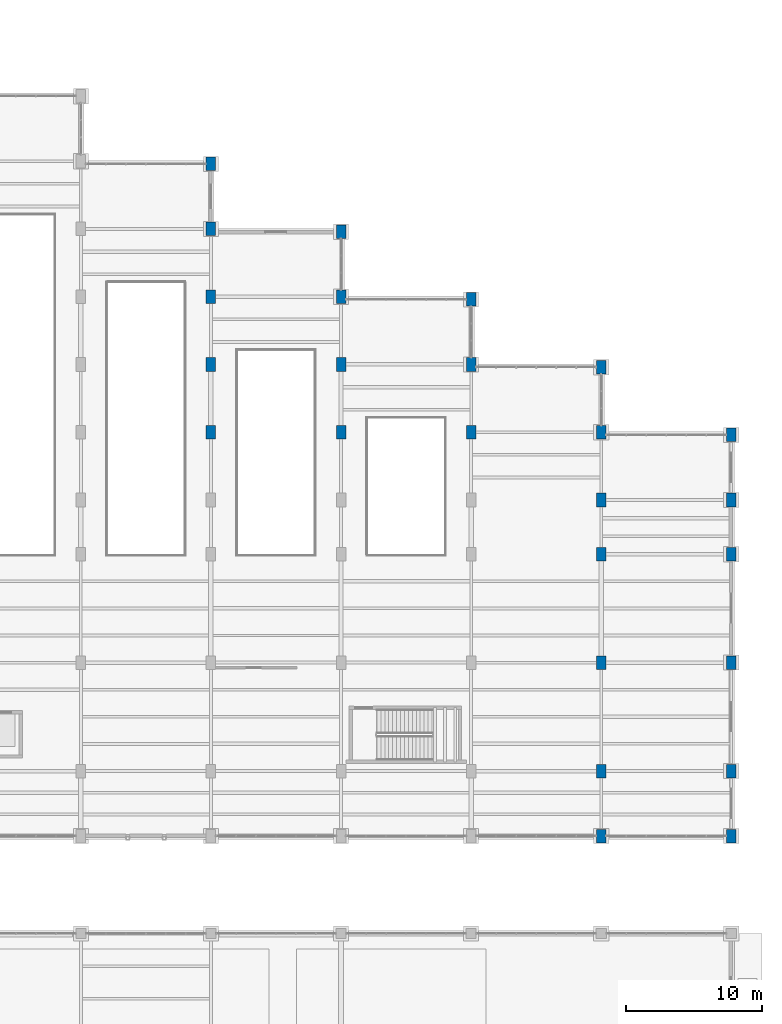
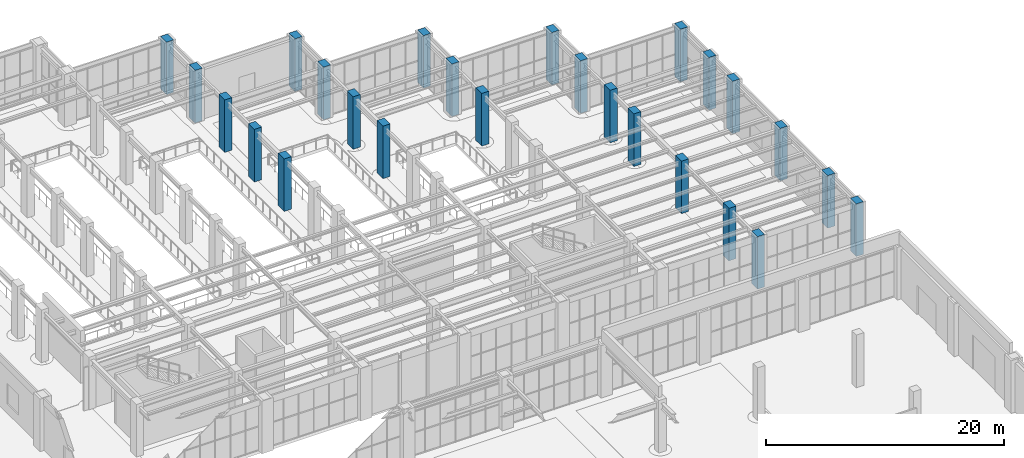
# One storey, part 22 of 164: 25 columns.
"""IFC4 building model written with IfcOpenShell, lengths in metres."""

from ifc_helpers import new_model, si_unit, direction, frame, origin, origin_2d, place, context, subcontext, project, spatial, rectangle, extrude, material, material_profile, profile_set, type_object, element, save


model = new_model("IFC4")

# Units and contexts
model_context = context("Model", 3, precision=1e-05, world=origin(), true_north=direction((0.0, 1.0)))
body_context = subcontext(model_context, "Body", "Model", "MODEL_VIEW")
ifc_project = project(units=[si_unit("LENGTHUNIT", "METRE"), si_unit("AREAUNIT", "SQUARE_METRE"), si_unit("VOLUMEUNIT", "CUBIC_METRE"), si_unit("PLANEANGLEUNIT", "RADIAN"), si_unit("MASSUNIT", "GRAM", prefix="KILO")], contexts=[model_context])

# Site, building, storey
site_placement = place(None, origin())
site = spatial("IfcSite", under=ifc_project, at=site_placement, CompositionType="ELEMENT")
building_placement = place(site_placement, origin())
building = spatial("IfcBuilding", under=site, at=building_placement, Name="Mavantir Sound Aquarium", CompositionType="ELEMENT")
storey_placement = place(building_placement, origin())
storey = spatial("IfcBuildingStorey", under=building, at=storey_placement, Name="L00", CompositionType="ELEMENT", Elevation=0.0)

# Columns
ifc_material = material(Name="Concrete C40/50", Category="concrete")
ifc_material_profile_1 = material_profile(ifc_material, rectangle(XDim=0.699951171875, YDim=1.0, at=origin_2d()), Name="RC 700X1000")
ifc_profile_set_1 = profile_set([ifc_material_profile_1], Name="Concrete C40/50")
column_type_1 = type_object("IfcColumnType", Name="COL-RC700X1000-E", PredefinedType="COLUMN", material=ifc_profile_set_1)
for number, where, z_axis, x_axis, name in (
    (1, (175.199951171875, 36.0, 0.0), (0.0, 0.0, 1.0), (1.0, 0.0, 0.0), "L00 column RC-C710 (V4)"),
    (2, (175.199951171875, 40.800048828125, 0.0), (0.0, 0.0, 1.0), (1.0, 0.0, 0.0), "L00 column RC-C710 (V4)"),
    (3, (175.199951171875, 48.800048828125, 0.0), (0.0, 0.0, 1.0), (1.0, 0.0, 0.0), "L00 column RC-C710 (V4)"),
    (4, (175.199951171875, 56.800048828125, 0.0), (0.0, 0.0, 1.0), (1.0, 0.0, 0.0), "L00 column RC-C710 (V4)"),
    (5, (175.199951171875, 60.800048828125, 0.0), (0.0, 0.0, 1.0), (1.0, 0.0, 0.0), "L00 column RC-C710 (V4)"),
    (6, (175.199951171875, 65.60009765625, 0.0), (0.0, 0.0, 1.0), (1.0, 0.0, 0.0), "L00 column RC-C710 (V4)"),
):
    element("IfcColumn", number, at=place(storey_placement, frame(where, z_axis=z_axis, x_axis=x_axis)), inside=storey, type_object=column_type_1, Name=name, PredefinedType="COLUMN", context=body_context, shape_type="SweptSolid", body=[
        extrude(rectangle(XDim=0.699951171875, YDim=1.0, at=origin_2d()), origin(), (0.0, 0.0, 1.0), 5.39990234375),
    ])
ifc_material_profile_2 = material_profile(ifc_material, rectangle(XDim=0.699951171875, YDim=1.0, at=origin_2d()), Name="RC 700X1000")
ifc_profile_set_2 = profile_set([ifc_material_profile_2], Name="Concrete C40/50")
column_type_2 = type_object("IfcColumnType", Name="COL-RC700X1000-I", PredefinedType="COLUMN", material=ifc_profile_set_2)
for number, where, z_axis, x_axis, name in (
    (7, (136.800048828125, 65.800048828125, 0.0), (0.0, 0.0, 1.0), (1.0, 0.0, 0.0), "L00 column RC-C710 (V4)"),
    (8, (136.800048828125, 70.800048828125, 0.0), (0.0, 0.0, 1.0), (1.0, 0.0, 0.0), "L00 column RC-C710 (V4)"),
    (9, (136.800048828125, 75.800048828125, 0.0), (0.0, 0.0, 1.0), (1.0, 0.0, 0.0), "L00 column RC-C710 (V4)"),
    (10, (136.800048828125, 80.800048828125, 0.0), (0.0, 0.0, 1.0), (1.0, 0.0, 0.0), "L00 column RC-C710 (V4)"),
    (11, (136.800048828125, 85.60009765625, 0.0), (0.0, 0.0, 1.0), (1.0, 0.0, 0.0), "L00 column RC-C710 (V4)"),
    (12, (146.39990234375, 65.800048828125, 0.0), (0.0, 0.0, 1.0), (1.0, 0.0, 0.0), "L00 column RC-C710 (V4)"),
    (13, (146.39990234375, 70.800048828125, 0.0), (0.0, 0.0, 1.0), (1.0, 0.0, 0.0), "L00 column RC-C710 (V4)"),
    (14, (146.39990234375, 75.800048828125, 0.0), (0.0, 0.0, 1.0), (1.0, 0.0, 0.0), "L00 column RC-C710 (V4)"),
    (15, (146.39990234375, 80.60009765625, 0.0), (0.0, 0.0, 1.0), (1.0, 0.0, 0.0), "L00 column RC-C710 (V4)"),
    (16, (156.0, 65.800048828125, 0.0), (0.0, 0.0, 1.0), (1.0, 0.0, 0.0), "L00 column RC-C710 (V4)"),
    (17, (156.0, 70.800048828125, 0.0), (0.0, 0.0, 1.0), (1.0, 0.0, 0.0), "L00 column RC-C710 (V4)"),
    (18, (156.0, 75.60009765625, 0.0), (0.0, 0.0, 1.0), (1.0, 0.0, 0.0), "L00 column RC-C710 (V4)"),
    (19, (165.60009765625, 36.0, 0.0), (0.0, 0.0, 1.0), (1.0, 0.0, 0.0), "L00 column RC-C710 (V4)"),
    (20, (165.60009765625, 40.800048828125, 0.0), (0.0, 0.0, 1.0), (1.0, 0.0, 0.0), "L00 column RC-C710 (V4)"),
    (21, (165.60009765625, 48.800048828125, 0.0), (0.0, 0.0, 1.0), (1.0, 0.0, 0.0), "L00 column RC-C710 (V4)"),
    (22, (165.60009765625, 56.800048828125, 0.0), (0.0, 0.0, 1.0), (1.0, 0.0, 0.0), "L00 column RC-C710 (V4)"),
    (23, (165.60009765625, 60.800048828125, 0.0), (0.0, 0.0, 1.0), (1.0, 0.0, 0.0), "L00 column RC-C710 (V4)"),
    (24, (165.60009765625, 65.800048828125, 0.0), (0.0, 0.0, 1.0), (1.0, 0.0, 0.0), "L00 column RC-C710 (V4)"),
    (25, (165.60009765625, 70.60009765625, 0.0), (0.0, 0.0, 1.0), (1.0, 0.0, 0.0), "L00 column RC-C710 (V4)"),
):
    element("IfcColumn", number, at=place(storey_placement, frame(where, z_axis=z_axis, x_axis=x_axis)), inside=storey, type_object=column_type_2, Name=name, PredefinedType="COLUMN", context=body_context, shape_type="SweptSolid", body=[
        extrude(rectangle(XDim=0.699951171875, YDim=1.0, at=origin_2d()), origin(), (0.0, 0.0, 1.0), 5.39990234375),
    ])

save(model, "model.ifc")
